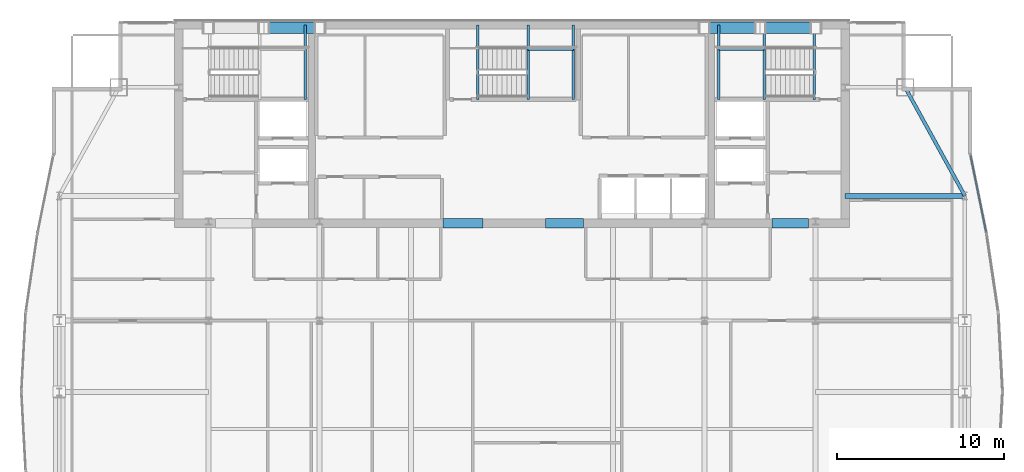
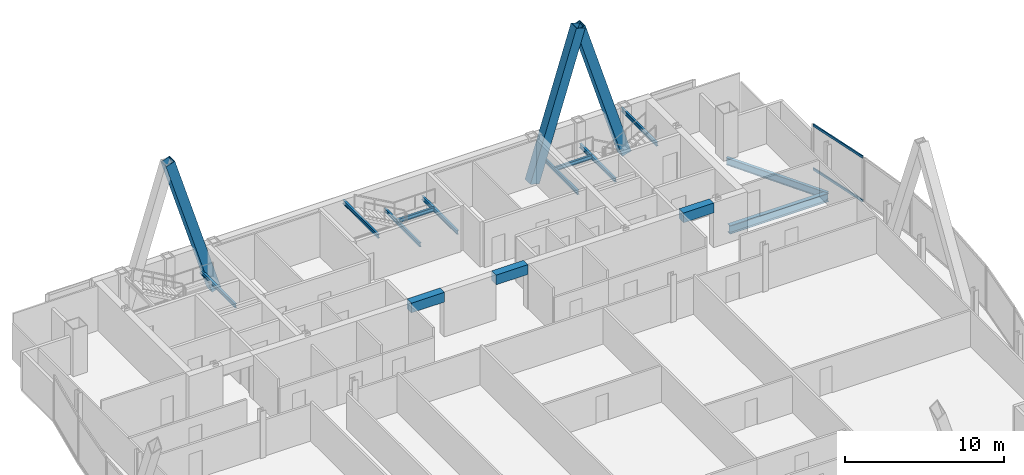
# One storey, part 23 of 31: 14 beams, 5 members, 1 element without a shape of its own.
"""IFC4 building model written with IfcOpenShell, lengths in metres."""

from ifc_helpers import new_model, si_unit, direction, frame, origin, origin_2d, place, context, subcontext, project, spatial, rectangle, hollow_rectangle, i_section, extrude, material, material_profile, profile_set, type_object, element, aggregate, save


model = new_model("IFC4")

# Units and contexts
model_context = context("Model", 3, precision=1e-05, world=origin(), true_north=direction((0.0, 1.0)))
body_context = subcontext(model_context, "Body", "Model", "MODEL_VIEW")
ifc_project = project(units=[si_unit("LENGTHUNIT", "METRE"), si_unit("AREAUNIT", "SQUARE_METRE"), si_unit("VOLUMEUNIT", "CUBIC_METRE"), si_unit("PLANEANGLEUNIT", "RADIAN"), si_unit("MASSUNIT", "GRAM", prefix="KILO")], contexts=[model_context])

# Site, building, storey
site_placement = place(None, origin())
site = spatial("IfcSite", under=ifc_project, at=site_placement, CompositionType="ELEMENT")
building_placement = place(site_placement, origin())
building = spatial("IfcBuilding", under=site, at=building_placement, Name="Khoronbel Lancet Exchange", CompositionType="ELEMENT")
storey_placement = place(building_placement, frame((0.0, 0.0, 273.39990234375)))
storey = spatial("IfcBuildingStorey", under=building, at=storey_placement, Name="L70", CompositionType="ELEMENT", Elevation=273.39990234375)

# Beams
ifc_material_1 = material(Name="Steel S355", Category="steel")
ifc_material_profile_1 = material_profile(ifc_material_1, i_section(OverallWidth=0.300048828125, OverallDepth=0.64990234375, WebThickness=0.01611328125, FlangeThickness=0.031005859375, at=origin_2d()), Name="HEB 650")
ifc_profile_set_1 = profile_set([ifc_material_profile_1], Name="Steel S355")
beam_type_1 = type_object("IfcBeamType", Name="BM-BG4", PredefinedType="BEAM", material=ifc_profile_set_1)
beam_1_placement = place(storey_placement, frame((56.449951171875, 43.199951171875, -0.48486328125), z_axis=(1.0, 0.0, 0.0), x_axis=(0.0, 1.0, 0.0)))
element("IfcBeam", 1, at=beam_1_placement, inside=storey, type_object=beam_type_1, Name="Level L70 east lens tie girder LG3E", PredefinedType="BEAM", context=body_context, shape_type="SweptSolid", body=[
    extrude(i_section(OverallWidth=0.300048828125, OverallDepth=0.64990234375, WebThickness=0.01611328125, FlangeThickness=0.031005859375, at=origin_2d()), origin(), (0.0, 0.0, 1.0), 7.179931640625),
])
ifc_material_profile_2 = material_profile(ifc_material_1, i_section(OverallWidth=0.14990234375, OverallDepth=0.300048828125, WebThickness=0.007080078125, FlangeThickness=0.0107421875, at=origin_2d()), Name="IPE 300")
ifc_profile_set_2 = profile_set([ifc_material_profile_2], Name="Steel S355")
beam_type_2 = type_object("IfcBeamType", Name="BM-BJ8", PredefinedType="JOIST", material=ifc_profile_set_2)
for number, where, z_axis, x_axis, name in (
    (2, (24.030029296875, 48.97998046875, 1.4501953125), (0.0, 1.0, 0.0), (-1.0, 0.0, 0.0), "Level L70 stair ST1 rear landing bearer beam 1"),
    (3, (51.580078125, 48.97998046875, 1.4501953125), (0.0, 1.0, 0.0), (-1.0, 0.0, 0.0), "Level L70 stair ST2 landing bearer beam 1"),
    (4, (48.8701171875, 48.97998046875, 1.4501953125), (0.0, 1.0, 0.0), (-1.0, 0.0, 0.0), "Level L70 stair ST2 rear landing bearer beam 1"),
):
    element("IfcBeam", number, at=place(storey_placement, frame(where, z_axis=z_axis, x_axis=x_axis)), inside=storey, type_object=beam_type_2, Name=name, PredefinedType="JOIST", context=body_context, shape_type="SweptSolid", body=[
        extrude(i_section(OverallWidth=0.14990234375, OverallDepth=0.300048828125, WebThickness=0.007080078125, FlangeThickness=0.0107421875, at=origin_2d()), origin(), (0.0, 0.0, 1.0), 4.469970703125),
    ])
beam_2_placement = place(storey_placement, frame((48.8701171875, 51.97998046875, 1.4501953125), z_axis=(1.0, 0.0, 0.0), x_axis=(0.0, 1.0, 0.0)))
element("IfcBeam", 5, at=beam_2_placement, inside=storey, type_object=beam_type_2, Name="Level L70 stair ST2 landing cross trimmer beam 1", PredefinedType="JOIST", context=body_context, shape_type="SweptSolid", body=[
    extrude(i_section(OverallWidth=0.14990234375, OverallDepth=0.300048828125, WebThickness=0.007080078125, FlangeThickness=0.0107421875, at=origin_2d()), origin(), (0.0, 0.0, 1.0), 2.7099609375),
])
for number, where, z_axis, x_axis, name in (
    (6, (54.60009765625, 48.97998046875, 3.16015625), (0.0, 1.0, 0.0), (-1.0, 0.0, 0.0), "Level L70 stair ST2 upper-flight arrival trimmer beam"),
    (7, (37.419921875, 48.97998046875, 1.4501953125), (0.0, 1.0, 0.0), (-1.0, 0.0, 0.0), "Level L70 stair ST3 landing bearer beam 1"),
    (8, (40.1298828125, 48.97998046875, 1.4501953125), (0.0, 1.0, 0.0), (-1.0, 0.0, 0.0), "Level L70 stair ST3 rear landing bearer beam 1"),
):
    element("IfcBeam", number, at=place(storey_placement, frame(where, z_axis=z_axis, x_axis=x_axis)), inside=storey, type_object=beam_type_2, Name=name, PredefinedType="JOIST", context=body_context, shape_type="SweptSolid", body=[
        extrude(i_section(OverallWidth=0.14990234375, OverallDepth=0.300048828125, WebThickness=0.007080078125, FlangeThickness=0.0107421875, at=origin_2d()), origin(), (0.0, 0.0, 1.0), 4.469970703125),
    ])
beam_3_placement = place(storey_placement, frame((37.419921875, 51.97998046875, 1.4501953125), z_axis=(1.0, 0.0, 0.0), x_axis=(0.0, 1.0, 0.0)))
element("IfcBeam", 9, at=beam_3_placement, inside=storey, type_object=beam_type_2, Name="Level L70 stair ST3 landing cross trimmer beam 1", PredefinedType="JOIST", context=body_context, shape_type="SweptSolid", body=[
    extrude(i_section(OverallWidth=0.14990234375, OverallDepth=0.300048828125, WebThickness=0.007080078125, FlangeThickness=0.0107421875, at=origin_2d()), origin(), (0.0, 0.0, 1.0), 2.7099609375),
])
beam_4_placement = place(storey_placement, frame((34.39990234375, 48.97998046875, 3.16015625), z_axis=(0.0, 1.0, 0.0), x_axis=(-1.0, 0.0, 0.0)))
element("IfcBeam", 10, at=beam_4_placement, inside=storey, type_object=beam_type_2, Name="Level L70 stair ST3 upper-flight arrival trimmer beam", PredefinedType="JOIST", context=body_context, shape_type="SweptSolid", body=[
    extrude(i_section(OverallWidth=0.14990234375, OverallDepth=0.300048828125, WebThickness=0.007080078125, FlangeThickness=0.0107421875, at=origin_2d()), origin(), (0.0, 0.0, 1.0), 4.469970703125),
])
ifc_material_2 = material(Name="Concrete C60/75", Category="concrete")
ifc_material_profile_3 = material_profile(ifc_material_2, rectangle(XDim=0.550048828125, YDim=0.75, at=origin_2d()), Name="RC 550x750")
ifc_profile_set_3 = profile_set([ifc_material_profile_3], Name="Concrete C60/75")
beam_type_3 = type_object("IfcBeamType", Name="BM-BL2", PredefinedType="LINTEL", material=ifc_profile_set_3)
beam_5_placement = place(storey_placement, frame((32.300048828125, 41.550048828125, 3.065185546875), z_axis=(1.0, 0.0, 0.0), x_axis=(0.0, 1.0, 0.0)))
element("IfcBeam", 11, at=beam_5_placement, inside=storey, type_object=beam_type_3, Name="Level L70 rear core coupling lintel L2", PredefinedType="LINTEL", context=body_context, shape_type="SweptSolid", body=[
    extrude(rectangle(XDim=0.550048828125, YDim=0.75, at=origin_2d()), origin(), (0.0, 0.0, 1.0), 2.39990234375),
])
beam_6_placement = place(storey_placement, frame((38.449951171875, 41.550048828125, 3.065185546875), z_axis=(1.0, 0.0, 0.0), x_axis=(0.0, 1.0, 0.0)))
element("IfcBeam", 12, at=beam_6_placement, inside=storey, type_object=beam_type_3, Name="Level L70 rear core coupling lintel L3", PredefinedType="LINTEL", context=body_context, shape_type="SweptSolid", body=[
    extrude(rectangle(XDim=0.550048828125, YDim=0.75, at=origin_2d()), origin(), (0.0, 0.0, 1.0), 2.300048828125),
])
beam_7_placement = place(storey_placement, frame((52.050048828125, 41.550048828125, 3.065185546875), z_axis=(1.0, 0.0, 0.0), x_axis=(0.0, 1.0, 0.0)))
element("IfcBeam", 13, at=beam_7_placement, inside=storey, type_object=beam_type_3, Name="Level L70 rear core coupling lintel L4", PredefinedType="LINTEL", context=body_context, shape_type="SweptSolid", body=[
    extrude(rectangle(XDim=0.550048828125, YDim=0.75, at=origin_2d()), origin(), (0.0, 0.0, 1.0), 2.199951171875),
])
ifc_material_profile_4 = material_profile(ifc_material_1, i_section(OverallWidth=0.2099609375, OverallDepth=0.550048828125, WebThickness=0.010986328125, FlangeThickness=0.01708984375, at=origin_2d()), Name="IPE 550")
ifc_profile_set_4 = profile_set([ifc_material_profile_4], Name="Steel S355")
beam_type_4 = type_object("IfcBeamType", Name="BM-BSP3", PredefinedType="SPANDREL", material=ifc_profile_set_4)
beam_8_placement = place(storey_placement, frame((63.6298828125, 43.199951171875, -0.434814453125), z_axis=(-0.482418808117, 0.875940690672, 0.0), x_axis=(-0.875940690672, -0.482418808117, 0.0)))
element("IfcBeam", 14, at=beam_8_placement, inside=storey, type_object=beam_type_4, Name="Level L70 perimeter spandrel beam SP15", PredefinedType="SPANDREL", context=body_context, shape_type="SweptSolid", body=[
    extrude(i_section(OverallWidth=0.2099609375, OverallDepth=0.550048828125, WebThickness=0.010986328125, FlangeThickness=0.01708984375, at=origin_2d()), origin(), (0.0, 0.0, 1.0), 7.420654296875),
])

# Curtain wall, members
ifc_material_3 = material(Name="Low-E Solar Control Insulating Glass", Category="glass")
curtain_wall_type = type_object("IfcCurtainWallType", Name="CW-4", PredefinedType="NOTDEFINED", material=ifc_material_3)
curtain_wall_placement = place(storey_placement, origin())
curtain_wall = element("IfcCurtainWall", 15, at=curtain_wall_placement, inside=storey, type_object=curtain_wall_type, Name="Unitised curtain wall CW-L70-E17", PredefinedType="NOTDEFINED")
ifc_material_4 = material(Name="Bronze-Anodised Aluminium 6063-T6", Category="aluminium")
ifc_material_profile_5 = material_profile(ifc_material_4, hollow_rectangle(XDim=0.0849609375, YDim=0.179931640625, WallThickness=0.0048828125, at=origin_2d()), Name="ALU TRANSOM 85x180")
ifc_profile_set_5 = profile_set([ifc_material_profile_5], Name="Bronze-Anodised Aluminium 6063-T6")
member_type_1 = type_object("IfcMemberType", Name="MEM-CWT1", PredefinedType="USERDEFINED", material=ifc_profile_set_5)
member_1_placement = place(storey_placement, frame((63.974853515625, 45.617431640625, 0.04248046875), z_axis=(0.199149490077, -0.97996912227, 0.0), x_axis=(0.97996912227, 0.199149490077, 0.0)))
member_1 = element("IfcMember", 16, at=member_1_placement, type_object=member_type_1, Name="CW4 transom 1.1", ObjectType="TRANSOM", PredefinedType="USERDEFINED", context=body_context, shape_type="SweptSolid", body=[
    extrude(hollow_rectangle(XDim=0.0849609375, YDim=0.179931640625, WallThickness=0.0048828125, at=origin_2d()), origin(), (0.0, 0.0, 1.0), 4.703857421875),
])
member_2_placement = place(storey_placement, frame((63.974853515625, 45.617431640625, 3.397705078125), z_axis=(0.199149490077, -0.97996912227, 0.0), x_axis=(0.97996912227, 0.199149490077, 0.0)))
member_2 = element("IfcMember", 17, at=member_2_placement, type_object=member_type_1, Name="CW4 transom 1.2", ObjectType="TRANSOM", PredefinedType="USERDEFINED", context=body_context, shape_type="SweptSolid", body=[
    extrude(hollow_rectangle(XDim=0.0849609375, YDim=0.179931640625, WallThickness=0.0048828125, at=origin_2d()), origin(), (0.0, 0.0, 1.0), 4.703857421875),
])
aggregate(curtain_wall, [member_1, member_2])

# Members
ifc_material_5 = material(Name="Steel S460", Category="steel")
ifc_material_profile_6 = material_profile(ifc_material_5, hollow_rectangle(XDim=0.679931640625, YDim=0.679931640625, WallThickness=0.044921875, at=origin_2d()), Name="BOX 680x680x45")
ifc_profile_set_6 = profile_set([ifc_material_profile_6], Name="Steel S460")
member_type_2 = type_object("IfcMemberType", Name="MEM-MB3", PredefinedType="BRACE", material=ifc_profile_set_6)
for number, where, z_axis, x_axis, name in (
    (18, (24.89990234375, 53.280029296875, 0.0), (-0.295242108906, 0.0, 0.955422470496), (0.0, -1.0, 0.0), "Perimeter lancet brace tier 24 N-W-R"),
    (19, (48.0, 53.280029296875, 0.0), (0.295242108906, 0.0, 0.955422470496), (0.0, 1.0, 0.0), "Perimeter lancet brace tier 24 N-E-L"),
    (20, (54.675048828125, 53.280029296875, 0.0), (-0.295261823895, 0.0, 0.955416378), (0.0, -1.0, 0.0), "Perimeter lancet brace tier 24 N-E-R"),
):
    element("IfcMember", number, at=place(storey_placement, frame(where, z_axis=z_axis, x_axis=x_axis)), inside=storey, type_object=member_type_2, Name=name, PredefinedType="BRACE", context=body_context, shape_type="SweptSolid", body=[
        extrude(hollow_rectangle(XDim=0.679931640625, YDim=0.679931640625, WallThickness=0.044921875, at=origin_2d()), origin(), (0.0, 0.0, 1.0), 11.303955078125),
    ])

save(model, "model.ifc")
